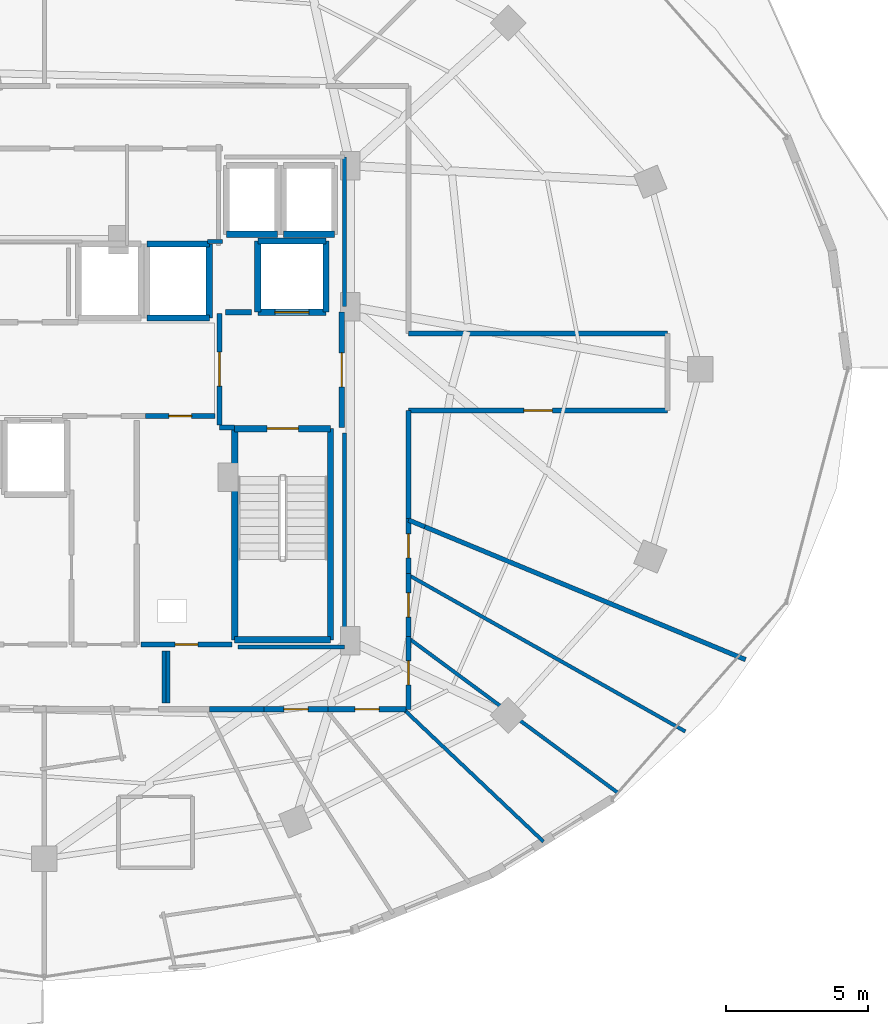
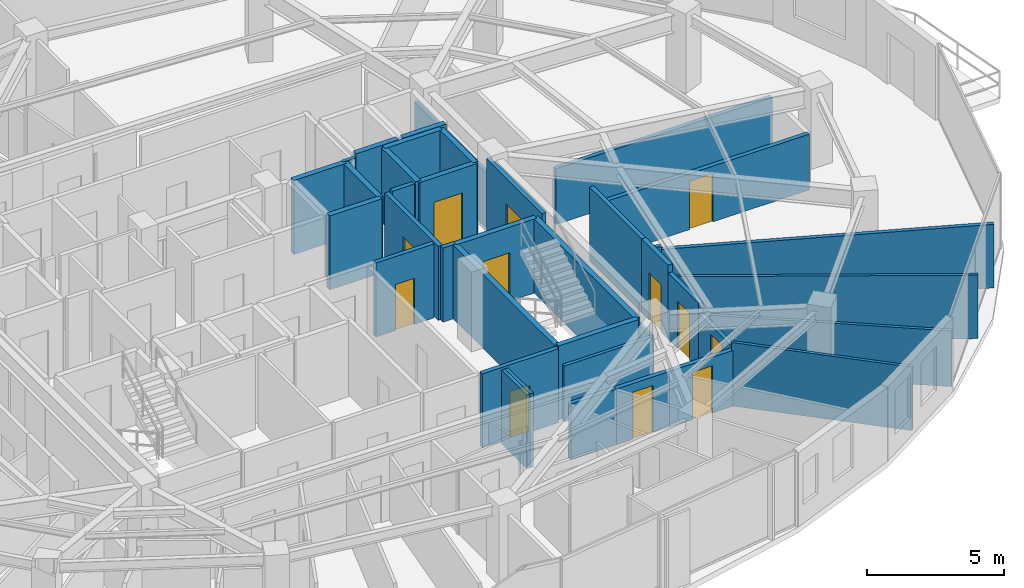
# One storey, part 28 of 33: 39 walls, 12 doors, 12 openings.
"""IFC4 building model written with IfcOpenShell, lengths in metres."""

import ifcopenshell
import ifcopenshell.guid

model = None  # the IFC model being written
_history = None  # IfcOwnerHistory: only IFC2X3 demands one
_inside = {}  # id of a spatial element -> (the spatial element, [elements in it])
_under = {}  # id of a project, library or spatial element -> (it, [spatial elements below it])
_declared = {}  # id of a project -> (the project, [libraries it declares])
_typed = {}  # id of a type object -> (the type object, [elements of that type])
_made_of = {}  # id of a material, layer set ... -> (it, [elements and type objects made of it])


def new_model(schema):
    """Start an empty IFC model of exactly this schema.

    Asked for "IFC4X3", IfcOpenShell would pick the latest addendum, in which some entities
    have other attributes; the version numbers below select the first issue.
    IFC2X3 requires an IfcOwnerHistory on every rooted entity: one is made here for all.
    """
    global model, _history
    if schema == "IFC4X3":
        model = ifcopenshell.file(schema_version=(4, 3, 0, 0))
    else:
        model = ifcopenshell.file(schema=schema)
    _inside.clear()
    _under.clear()
    _declared.clear()
    _typed.clear()
    _made_of.clear()
    _history = None
    if model.schema == "IFC2X3":
        org = make("IfcOrganization", Name="unknown")
        user = make(
            "IfcPersonAndOrganization",
            ThePerson=make("IfcPerson", FamilyName="unknown"),
            TheOrganization=org,
        )
        app = make(
            "IfcApplication",
            ApplicationDeveloper=org,
            Version="unknown",
            ApplicationFullName="unknown",
            ApplicationIdentifier="unknown",
        )
        _history = make(
            "IfcOwnerHistory",
            OwningUser=user,
            OwningApplication=app,
            ChangeAction="ADDED",
            CreationDate=0,
        )
    return model


def make(cls, **values):
    """One entity of the class cls with the attributes given. An attribute that is None is left unset."""
    return model.create_entity(
        cls, **{name: value for name, value in values.items() if value is not None}
    )


def rooted(cls, **values):
    """An entity with a GlobalId (a new one), such as an element, a storey or a relation."""
    return make(cls, GlobalId=ifcopenshell.guid.new(), OwnerHistory=_history, **values)


def si_unit(unit_type, name, prefix=None):
    """IfcSIUnit, for example si_unit("LENGTHUNIT", "METRE", prefix="MILLI")."""
    return make("IfcSIUnit", UnitType=unit_type, Prefix=prefix, Name=name)


def assignment(units):
    """IfcUnitAssignment: the units of a project."""
    return None if units is None else make("IfcUnitAssignment", Units=units)


def point(xyz):
    """IfcCartesianPoint."""
    return None if xyz is None else make("IfcCartesianPoint", Coordinates=xyz)


def direction(xyz):
    """IfcDirection."""
    return None if xyz is None else make("IfcDirection", DirectionRatios=xyz)


def frame(location, z_axis=None, x_axis=None):
    """IfcAxis2Placement3D, a coordinate frame: its origin and axes. An axis left out is left unset."""
    return make(
        "IfcAxis2Placement3D",
        Location=point(location),
        Axis=direction(z_axis),
        RefDirection=direction(x_axis),
    )


def frame_2d(location, x_axis=None):
    """IfcAxis2Placement2D, a coordinate frame in the plane: its origin and x axis."""
    return make(
        "IfcAxis2Placement2D", Location=point(location), RefDirection=direction(x_axis)
    )


def origin():
    """The frame at (0, 0, 0) with its axes left unset."""
    return frame((0.0, 0.0, 0.0))


def place(relative_to, where):
    """IfcLocalPlacement: puts the frame where relative to a parent placement (None: the world)."""
    return make(
        "IfcLocalPlacement", PlacementRelTo=relative_to, RelativePlacement=where
    )


def context(
    kind, dimensions, precision=None, world=None, true_north=None, identifier=None
):
    """IfcGeometricRepresentationContext, for example the 3D "Model" context."""
    return make(
        "IfcGeometricRepresentationContext",
        ContextIdentifier=identifier,
        ContextType=kind,
        CoordinateSpaceDimension=dimensions,
        Precision=precision,
        WorldCoordinateSystem=world,
        TrueNorth=true_north,
    )


def subcontext(parent, identifier, kind, view, scale=None):
    """IfcGeometricRepresentationSubContext, for example "Body" below "Model"."""
    return make(
        "IfcGeometricRepresentationSubContext",
        ContextIdentifier=identifier,
        ContextType=kind,
        ParentContext=parent,
        TargetScale=scale,
        TargetView=view,
    )


def project(units=None, contexts=None):
    """IfcProject with its units and contexts."""
    return rooted(
        "IfcProject",
        Name="project",
        RepresentationContexts=contexts,
        UnitsInContext=assignment(units),
    )


def spatial(cls, under=None, at=None, **own):
    """A site, building, storey or space (cls), placed at a placement, below another one or the project."""
    s = rooted(cls, ObjectPlacement=at, **own)
    if under is not None:
        _under.setdefault(under.id(), (under, []))[1].append(s)
    return s


def profile(cls, at=None, kind="AREA", **sizes):
    """A parametric profile (cls). Its sizes go by their IFC names, for example OverallWidth=200.0."""
    return make(cls, ProfileType=kind, Position=at, **sizes)


def rectangle(**sizes):
    """IfcRectangleProfileDef."""
    return profile("IfcRectangleProfileDef", **sizes)


def extrude(swept, where, along, depth):
    """IfcExtrudedAreaSolid: the profile swept, set in the frame where, extruded along a direction by depth."""
    return make(
        "IfcExtrudedAreaSolid",
        SweptArea=swept,
        Position=where,
        ExtrudedDirection=direction(along),
        Depth=depth,
    )


def shape(context_of_items, identifier, shape_type, items):
    """IfcShapeRepresentation: the items that make up one representation, for example the "Body"."""
    return make(
        "IfcShapeRepresentation",
        ContextOfItems=context_of_items,
        RepresentationIdentifier=identifier,
        RepresentationType=shape_type,
        Items=items,
    )


def material(Name=None, Category=None):
    """IfcMaterial."""
    return make("IfcMaterial", Name=Name, Category=Category)


def layer(
    of_material, thickness, ventilated=None, Name=None, Category=None, Priority=None
):
    """IfcMaterialLayer: one layer of a wall or slab, of a material (None: an air gap)."""
    return make(
        "IfcMaterialLayer",
        Material=of_material,
        LayerThickness=thickness,
        IsVentilated=ventilated,
        Name=Name,
        Category=Category,
        Priority=Priority,
    )


def layer_set(layers, Name=None):
    """IfcMaterialLayerSet."""
    return make("IfcMaterialLayerSet", MaterialLayers=layers, LayerSetName=Name)


def made_of(thing, what):
    """Note that an element or type object is made of a material, layer set ...; save() writes the relation."""
    if what is not None:
        _made_of.setdefault(what.id(), (what, []))[1].append(thing)
    return thing


def type_object(cls, material=None, **own):
    """A type object (cls), such as IfcWallType, which elements share."""
    return made_of(rooted(cls, **own), material)


def element(
    cls,
    number,
    at=None,
    inside=None,
    cuts=None,
    type_object=None,
    material=None,
    context=None,
    identifier="Body",
    shape_type=None,
    held_by="IfcProductDefinitionShape",
    body=None,
    shapes=None,
    **own,
):
    """One element of the class cls, such as IfcWall. Its Tag is "e" and its number.

    at: its placement. inside: the storey or other place that contains it. cuts: it is an
    opening in that element (IfcRelVoidsElement). A single representation is given by context,
    identifier, shape_type and body (its items); several are given by shapes. held_by: the class
    of the entity that holds the representations. save() writes the other relations.
    """
    e = rooted(cls, Tag="e%d" % number, ObjectPlacement=at, **own)
    if body is not None:
        shapes = [shape(context, identifier, shape_type, body)]
    if shapes is not None:
        e.Representation = make(held_by, Representations=shapes)
    if inside is not None:
        _inside.setdefault(inside.id(), (inside, []))[1].append(e)
    if cuts is not None:
        rooted(
            "IfcRelVoidsElement", RelatingBuildingElement=cuts, RelatedOpeningElement=e
        )
    if type_object is not None:
        _typed.setdefault(type_object.id(), (type_object, []))[1].append(e)
    return made_of(e, material)


def fill(opening, filler):
    """IfcRelFillsElement: the door or window that sits in an opening."""
    return rooted(
        "IfcRelFillsElement",
        RelatingOpeningElement=opening,
        RelatedBuildingElement=filler,
    )


def aggregate(whole, parts):
    """IfcRelAggregates: a whole, such as a stair, and the parts it consists of."""
    return rooted("IfcRelAggregates", RelatingObject=whole, RelatedObjects=parts)


def save(model, path):
    """Write the relations noted so far, then the file.

    IfcRelAggregates (storeys below a building ...), IfcRelContainedInSpatialStructure (elements
    in a storey), IfcRelDefinesByType, IfcRelAssociatesMaterial and IfcRelDeclares: one each for
    every whole, place, type object, material and project.
    """
    for whole, parts in _under.values():
        aggregate(whole, parts)
    for where, things in _inside.values():
        rooted(
            "IfcRelContainedInSpatialStructure",
            RelatedElements=things,
            RelatingStructure=where,
        )
    for kind, things in _typed.values():
        rooted("IfcRelDefinesByType", RelatedObjects=things, RelatingType=kind)
    for what, things in _made_of.values():
        rooted("IfcRelAssociatesMaterial", RelatedObjects=things, RelatingMaterial=what)
    for by, libraries in _declared.values():
        rooted("IfcRelDeclares", RelatingContext=by, RelatedDefinitions=libraries)
    model.write(path)


model = new_model("IFC4")

# Units and contexts
model_context = context("Model", 3, precision=1e-05, world=origin(), true_north=direction((0.0, 1.0)))
body_context = subcontext(model_context, "Body", "Model", "MODEL_VIEW")
ifc_project = project(units=[si_unit("LENGTHUNIT", "METRE"), si_unit("AREAUNIT", "SQUARE_METRE"), si_unit("VOLUMEUNIT", "CUBIC_METRE"), si_unit("PLANEANGLEUNIT", "RADIAN"), si_unit("MASSUNIT", "GRAM", prefix="KILO")], contexts=[model_context])

# Site, building, storey
site_placement = place(None, origin())
site = spatial("IfcSite", under=ifc_project, at=site_placement, CompositionType="ELEMENT")
building_placement = place(site_placement, origin())
building = spatial("IfcBuilding", under=site, at=building_placement, Name="Vorneva Point Tower", CompositionType="ELEMENT")
storey_placement = place(building_placement, frame((0.0, 0.0, 203.64990234375)))
storey = spatial("IfcBuildingStorey", under=building, at=storey_placement, Name="L55", CompositionType="ELEMENT", Elevation=203.64990234375)

# Wall, opening, door
ifc_material_1 = material(Name="Concrete B60 (C50/60)", Category="concrete")
ifc_layer_1 = layer(ifc_material_1, 0.35009765625)
ifc_layer_set_1 = layer_set([ifc_layer_1], Name="Concrete B60 (C50/60)")
wall_type_1 = type_object("IfcWallType", Name="WL-CORE-350", PredefinedType="SHEAR", material=ifc_layer_set_1)
wall_1_placement = place(storey_placement, frame((45.5, 28.0, 0.0), z_axis=(0.0, 0.0, 1.0), x_axis=(1.0, 0.0, 0.0)))
wall_1 = element("IfcWall", 1, at=wall_1_placement, inside=storey, type_object=wall_type_1, Name="L55 Lift FFL2 Shaft Wall -Y", PredefinedType="SHEAR", context=body_context, shape_type="SweptSolid", body=[
    extrude(rectangle(XDim=2.39990234375, YDim=0.219970703125, at=frame_2d((1.199951171875, 0.0))), origin(), (0.0, 0.0, 1.0), 3.2900390625),
])
opening_1_placement = place(wall_1_placement, frame((0.60009765625, 0.0, 0.0)))
opening_1 = element("IfcOpeningElement", 2, at=opening_1_placement, cuts=wall_1, Name="Opening LD-02", PredefinedType="OPENING", context=body_context, shape_type="SweptSolid", body=[
    extrude(rectangle(XDim=1.199951171875, YDim=2.199951171875, at=frame_2d((0.60009765625, 1.10009765625))), frame((0.0, 0.125, 0.0), z_axis=(0.0, -1.0, 0.0), x_axis=(1.0, 0.0, 0.0)), (0.0, 0.0, 1.0), 0.249755859375),
])
ifc_material_2 = material(Name="Brushed stainless steel S304", Category="steel")
door_type_1 = type_object("IfcDoorType", Name="LD-FIRE-1200", OperationType="SLIDING_TO_LEFT", PredefinedType="DOOR", material=ifc_material_2)
door_1_placement = place(opening_1_placement, origin())
door_1 = element("IfcDoor", 3, at=door_1_placement, inside=storey, type_object=door_type_1, Name="L55 Lift FFL2 Sliding Landing Door", OperationType="SLIDING_TO_LEFT", OverallHeight=2.199951171875, OverallWidth=1.199951171875, PredefinedType="DOOR", context=body_context, shape_type="SweptSolid", body=[
    extrude(rectangle(XDim=1.199951171875, YDim=2.199951171875, at=frame_2d((0.60009765625, 1.10009765625))), frame((0.0, 0.02490234375, 0.0), z_axis=(0.0, -1.0, 0.0), x_axis=(1.0, 0.0, 0.0)), (0.0, 0.0, 1.0), 0.050048828125),
])
fill(opening_1, door_1)

# Walls
wall_2_placement = place(storey_placement, frame((47.89990234375, 28.0, 0.0), z_axis=(0.0, 0.0, 1.0), x_axis=(0.0, 1.0, 0.0)))
element("IfcWall", 4, at=wall_2_placement, inside=storey, type_object=wall_type_1, Name="L55 Lift FFL2 Shaft Wall +X", PredefinedType="SHEAR", context=body_context, shape_type="SweptSolid", body=[
    extrude(rectangle(XDim=2.5, YDim=0.219970703125, at=frame_2d((1.25, 0.0))), origin(), (0.0, 0.0, 1.0), 3.2900390625),
])
wall_3_placement = place(storey_placement, frame((47.89990234375, 30.5, 0.0), z_axis=(0.0, 0.0, 1.0), x_axis=(-1.0, 0.0, 0.0)))
element("IfcWall", 5, at=wall_3_placement, inside=storey, type_object=wall_type_1, Name="L55 Lift FFL2 Shaft Wall +Y", PredefinedType="SHEAR", context=body_context, shape_type="SweptSolid", body=[
    extrude(rectangle(XDim=2.39990234375, YDim=0.219970703125, at=frame_2d((1.199951171875, 0.0))), origin(), (0.0, 0.0, 1.0), 3.2900390625),
])
wall_4_placement = place(storey_placement, frame((45.5, 30.5, 0.0), z_axis=(0.0, 0.0, 1.0), x_axis=(0.0, -1.0, 0.0)))
element("IfcWall", 6, at=wall_4_placement, inside=storey, type_object=wall_type_1, Name="L55 Lift FFL2 Shaft Wall -X", PredefinedType="SHEAR", context=body_context, shape_type="SweptSolid", body=[
    extrude(rectangle(XDim=2.5, YDim=0.219970703125, at=frame_2d((1.25, 0.0))), origin(), (0.0, 0.0, 1.0), 3.2900390625),
])
ifc_material_3 = material(Name="Fire-rated acoustic gypsum stud partition", Category="gypsum")
ifc_layer_2 = layer(ifc_material_3, 0.125)
ifc_layer_set_2 = layer_set([ifc_layer_2], Name="Fire-rated acoustic gypsum stud partition")
wall_type_2 = type_object("IfcWallType", Name="WL-PART-125", PredefinedType="PARTITIONING", material=ifc_layer_set_2)
wall_5_placement = place(storey_placement, frame((55.5380859375, 9.40087890625, 0.0), z_axis=(0.0, 0.0, 1.0), x_axis=(-0.726277952769, 0.687401145854, 0.0)))
element("IfcWall", 7, at=wall_5_placement, inside=storey, type_object=wall_type_2, Name="L55 Interior Partition 147", PredefinedType="PARTITIONING", context=body_context, shape_type="SweptSolid", body=[
    extrude(rectangle(XDim=6.763427734375, YDim=0.125, at=frame_2d((3.3818359375, 0.0))), origin(), (0.0, 0.0, 1.0), 2.82421875),
])
wall_6_placement = place(storey_placement, frame((58.174072265625, 11.09912109375, 0.0), z_axis=(0.0, 0.0, 1.0), x_axis=(-0.804363169868, 0.594137939338, 0.0)))
element("IfcWall", 8, at=wall_6_placement, inside=storey, type_object=wall_type_2, Name="L55 Interior Partition 148", PredefinedType="PARTITIONING", context=body_context, shape_type="SweptSolid", body=[
    extrude(rectangle(XDim=9.16748046875, YDim=0.125, at=frame_2d((4.583740234375, 0.0))), origin(), (0.0, 0.0, 1.0), 2.482177734375),
])
wall_7_placement = place(storey_placement, frame((60.52392578125, 13.26904296875, 0.0), z_axis=(0.0, 0.0, 1.0), x_axis=(-0.870572608778, 0.49203997078, 0.0)))
element("IfcWall", 9, at=wall_7_placement, inside=storey, type_object=wall_type_2, Name="L55 Interior Partition 149", PredefinedType="PARTITIONING", context=body_context, shape_type="SweptSolid", body=[
    extrude(rectangle(XDim=11.16943359375, YDim=0.125, at=frame_2d((5.584716796875, 0.0))), origin(), (0.0, 0.0, 1.0), 2.82421875),
])
ifc_layer_3 = layer(ifc_material_3, 0.139892578125)
ifc_layer_set_3 = layer_set([ifc_layer_3], Name="Fire-rated acoustic gypsum stud partition")
wall_type_3 = type_object("IfcWallType", Name="WL-PART-140", PredefinedType="PARTITIONING", material=ifc_layer_set_3)
wall_8_placement = place(storey_placement, frame((43.735107421875, 30.47998046875, 0.0), z_axis=(0.0, 0.0, 1.0), x_axis=(1.0, 0.0, 0.0)))
element("IfcWall", 10, at=wall_8_placement, inside=storey, type_object=wall_type_3, Name="L55 Interior Closure Partition 156", PredefinedType="PARTITIONING", context=body_context, shape_type="SweptSolid", body=[
    extrude(rectangle(XDim=0.52490234375, YDim=0.139892578125, at=frame_2d((0.262451171875, 0.0))), origin(), (0.0, 0.0, 1.0), 3.2900390625),
])
wall_9_placement = place(storey_placement, frame((48.550048828125, 16.239990234375, 0.0), z_axis=(0.0, 0.0, 1.0), x_axis=(0.0, 1.0, 0.0)))
element("IfcWall", 11, at=wall_9_placement, inside=storey, type_object=wall_type_3, Name="L55 Interior Closure Partition 165", PredefinedType="PARTITIONING", context=body_context, shape_type="SweptSolid", body=[
    extrude(rectangle(XDim=7.513916015625, YDim=0.139892578125, at=frame_2d((3.7568359375, 0.0))), origin(), (0.0, 0.0, 1.0), 2.482177734375),
])
wall_10_placement = place(storey_placement, frame((48.550048828125, 28.196044921875, 0.0), z_axis=(0.0, 0.0, 1.0), x_axis=(0.0, 1.0, 0.0)))
element("IfcWall", 12, at=wall_10_placement, inside=storey, type_object=wall_type_3, Name="L55 Interior Closure Partition 166", PredefinedType="PARTITIONING", context=body_context, shape_type="SweptSolid", body=[
    extrude(rectangle(XDim=5.25390625, YDim=0.139892578125, at=frame_2d((2.626953125, 0.0))), origin(), (0.0, 0.0, 1.0), 2.482177734375),
])
for number, where, z_axis, x_axis, name in (
    (13, (42.199951171875, 16.10009765625, 0.0), (0.0, 0.0, 1.0), (0.0, -1.0, 0.0), "L55 Interior Closure Partition 173"),
    (14, (42.340087890625, 14.27001953125, 0.0), (0.0, 0.0, 1.0), (0.0, 1.0, 0.0), "L55 Interior Closure Partition 174"),
):
    element("IfcWall", number, at=place(storey_placement, frame(where, z_axis=z_axis, x_axis=x_axis)), inside=storey, type_object=wall_type_3, Name=name, PredefinedType="PARTITIONING", context=body_context, shape_type="SweptSolid", body=[
        extrude(rectangle(XDim=1.830078125, YDim=0.139892578125, at=frame_2d((0.9150390625, 0.0))), origin(), (0.0, 0.0, 1.0), 3.2900390625),
    ])
wall_11_placement = place(storey_placement, frame((44.804931640625, 16.239990234375, 0.0), z_axis=(0.0, 0.0, 1.0), x_axis=(1.0, 0.0, 0.0)))
element("IfcWall", 15, at=wall_11_placement, inside=storey, type_object=wall_type_3, Name="L55 Interior Closure Partition 175", PredefinedType="PARTITIONING", context=body_context, shape_type="SweptSolid", body=[
    extrude(rectangle(XDim=3.7451171875, YDim=0.139892578125, at=frame_2d((1.87255859375, 0.0))), origin(), (0.0, 0.0, 1.0), 2.482177734375),
])
ifc_layer_4 = layer(ifc_material_3, 0.159912109375)
ifc_layer_set_4 = layer_set([ifc_layer_4], Name="Fire-rated acoustic gypsum stud partition")
wall_type_4 = type_object("IfcWallType", Name="WL-PART-160", PredefinedType="PARTITIONING", material=ifc_layer_set_4)
wall_12_placement = place(storey_placement, frame((51.368896484375, 20.4619140625, 0.0), z_axis=(0.0, 0.0, 1.0), x_axis=(-0.923615496363, 0.383320251066, 0.0)))
element("IfcWall", 16, at=wall_12_placement, inside=storey, type_object=wall_type_4, Name="L55 Interior Partition 150", PredefinedType="PARTITIONING", context=body_context, shape_type="SweptSolid", body=[
    extrude(rectangle(XDim=0.615966796875, YDim=0.159912109375, at=frame_2d((0.30810546875, 0.0))), origin(), (0.0, 0.0, 1.0), 2.93603515625),
])
wall_13_placement = place(storey_placement, frame((62.639892578125, 15.7939453125, 0.0), z_axis=(0.0, 0.0, 1.0), x_axis=(-0.923897809723, 0.382639304291, 0.0)))
element("IfcWall", 17, at=wall_13_placement, inside=storey, type_object=wall_type_4, Name="L55 Interior Partition 151", PredefinedType="PARTITIONING", context=body_context, shape_type="SweptSolid", body=[
    extrude(rectangle(XDim=12.199462890625, YDim=0.159912109375, at=frame_2d((6.099609375, 0.0))), origin(), (0.0, 0.0, 1.0), 2.82421875),
])

# Wall, opening, door
ifc_material_4 = material(Name="Autoclaved aerated concrete blockwork", Category="masonry")
ifc_layer_5 = layer(ifc_material_4, 0.179931640625)
ifc_layer_set_5 = layer_set([ifc_layer_5], Name="Autoclaved aerated concrete blockwork")
wall_type_5 = type_object("IfcWallType", Name="WL-PART-180", PredefinedType="PARTITIONING", material=ifc_layer_set_5)
wall_14_placement = place(storey_placement, frame((44.14990234375, 27.955078125, 0.0), z_axis=(0.0, 0.0, 1.0), x_axis=(0.0, -1.0, 0.0)))
wall_14 = element("IfcWall", 18, at=wall_14_placement, inside=storey, type_object=wall_type_5, Name="L55 Interior Partition 003", PredefinedType="PARTITIONING", context=body_context, shape_type="SweptSolid", body=[
    extrude(rectangle(XDim=3.91015625, YDim=0.179931640625, at=frame_2d((1.955078125, 0.0))), origin(), (0.0, 0.0, 1.0), 3.2900390625),
])
opening_2_placement = place(wall_14_placement, frame((1.35498046875, 0.0, 0.0)))
opening_2 = element("IfcOpeningElement", 19, at=opening_2_placement, cuts=wall_14, Name="Opening FD-02", PredefinedType="OPENING", context=body_context, shape_type="SweptSolid", body=[
    extrude(rectangle(XDim=1.199951171875, YDim=2.14990234375, at=frame_2d((0.60009765625, 1.074951171875))), frame((0.0, 0.10498046875, 0.0), z_axis=(0.0, -1.0, 0.0), x_axis=(1.0, 0.0, 0.0)), (0.0, 0.0, 1.0), 0.209716796875),
])
ifc_material_5 = material(Name="Fire-rated powder-coated steel", Category="steel")
door_type_2 = type_object("IfcDoorType", Name="DR-FFL-1200", OperationType="NOTDEFINED", PredefinedType="DOOR", material=ifc_material_5)
door_2_placement = place(opening_2_placement, origin())
door_2 = element("IfcDoor", 20, at=door_2_placement, inside=storey, type_object=door_type_2, Name="L55 Door East Firefighting Lobby / Central Lift Lobby", OperationType="SINGLE_SWING_LEFT", OverallHeight=2.14990234375, OverallWidth=1.199951171875, PredefinedType="DOOR", context=body_context, shape_type="SweptSolid", body=[
    extrude(rectangle(XDim=1.199951171875, YDim=2.14990234375, at=frame_2d((0.60009765625, 1.074951171875))), frame((0.0, 0.02490234375, 0.0), z_axis=(0.0, -1.0, 0.0), x_axis=(1.0, 0.0, 0.0)), (0.0, 0.0, 1.0), 0.050048828125),
])
fill(opening_2, door_2)

# Wall
wall_15_placement = place(storey_placement, frame((44.14990234375, 23.949951171875, 0.0), z_axis=(0.0, 0.0, 1.0), x_axis=(1.0, 0.0, 0.0)))
element("IfcWall", 21, at=wall_15_placement, inside=storey, type_object=wall_type_5, Name="L55 Interior Partition 004", PredefinedType="PARTITIONING", context=body_context, shape_type="SweptSolid", body=[
    extrude(rectangle(XDim=0.5400390625, YDim=0.179931640625, at=frame_2d((0.27001953125, 0.0))), origin(), (0.0, 0.0, 1.0), 3.2900390625),
])

# Wall, opening, door
wall_16_placement = place(storey_placement, frame((48.449951171875, 23.949951171875, 0.0), z_axis=(0.0, 0.0, 1.0), x_axis=(0.0, 1.0, 0.0)))
wall_16 = element("IfcWall", 22, at=wall_16_placement, inside=storey, type_object=wall_type_5, Name="L55 Interior Partition 005", PredefinedType="PARTITIONING", context=body_context, shape_type="SweptSolid", body=[
    extrude(rectangle(XDim=4.050048828125, YDim=0.179931640625, at=frame_2d((2.02490234375, 0.0))), origin(), (0.0, 0.0, 1.0), 3.2900390625),
])
opening_3_placement = place(wall_16_placement, frame((1.425048828125, 0.0, 0.0)))
opening_3 = element("IfcOpeningElement", 23, at=opening_3_placement, cuts=wall_16, Name="Opening FD-02", PredefinedType="OPENING", context=body_context, shape_type="SweptSolid", body=[
    extrude(rectangle(XDim=1.199951171875, YDim=2.14990234375, at=frame_2d((0.60009765625, 1.074951171875))), frame((0.0, 0.10498046875, 0.0), z_axis=(0.0, -1.0, 0.0), x_axis=(1.0, 0.0, 0.0)), (0.0, 0.0, 1.0), 0.209716796875),
])
door_3_placement = place(opening_3_placement, origin())
door_3 = element("IfcDoor", 24, at=door_3_placement, inside=storey, type_object=door_type_2, Name="L55 Door East Firefighting Lobby / L55 Circulation Corridor", OperationType="SINGLE_SWING_LEFT", OverallHeight=2.14990234375, OverallWidth=1.199951171875, PredefinedType="DOOR", context=body_context, shape_type="SweptSolid", body=[
    extrude(rectangle(XDim=1.199951171875, YDim=2.14990234375, at=frame_2d((0.60009765625, 1.074951171875))), frame((0.0, 0.02490234375, 0.0), z_axis=(0.0, -1.0, 0.0), x_axis=(1.0, 0.0, 0.0)), (0.0, 0.0, 1.0), 0.050048828125),
])
fill(opening_3, door_3)

wall_17_placement = place(storey_placement, frame((41.554931640625, 24.35009765625, 0.0), z_axis=(0.0, 0.0, 1.0), x_axis=(1.0, 0.0, 0.0)))
wall_17 = element("IfcWall", 25, at=wall_17_placement, inside=storey, type_object=wall_type_5, Name="L55 Interior Partition 011", PredefinedType="PARTITIONING", context=body_context, shape_type="SweptSolid", body=[
    extrude(rectangle(XDim=2.445068359375, YDim=0.179931640625, at=frame_2d((1.22265625, 0.0))), origin(), (0.0, 0.0, 1.0), 3.2900390625),
])
opening_4_placement = place(wall_17_placement, frame((0.822509765625, 0.0, 0.0)))
opening_4 = element("IfcOpeningElement", 26, at=opening_4_placement, cuts=wall_17, Name="Opening RD-01", PredefinedType="OPENING", context=body_context, shape_type="SweptSolid", body=[
    extrude(rectangle(XDim=0.800048828125, YDim=2.050048828125, at=frame_2d((0.39990234375, 1.02490234375))), frame((0.0, 0.10498046875, 0.0), z_axis=(0.0, -1.0, 0.0), x_axis=(1.0, 0.0, 0.0)), (0.0, 0.0, 1.0), 0.209716796875),
])
door_type_3 = type_object("IfcDoorType", Name="DR-RSR-800", OperationType="SINGLE_SWING_LEFT", PredefinedType="DOOR", material=ifc_material_5)
door_4_placement = place(opening_4_placement, origin())
door_4 = element("IfcDoor", 27, at=door_4_placement, inside=storey, type_object=door_type_3, Name="L55 Door Central Lift Lobby / Electrical Riser", OperationType="SINGLE_SWING_LEFT", OverallHeight=2.050048828125, OverallWidth=0.800048828125, PredefinedType="DOOR", context=body_context, shape_type="SweptSolid", body=[
    extrude(rectangle(XDim=0.800048828125, YDim=2.050048828125, at=frame_2d((0.39990234375, 1.02490234375))), frame((0.0, 0.02490234375, 0.0), z_axis=(0.0, -1.0, 0.0), x_axis=(1.0, 0.0, 0.0)), (0.0, 0.0, 1.0), 0.050048828125),
])
fill(opening_4, door_4)

wall_18_placement = place(storey_placement, frame((41.39990234375, 16.320068359375, 0.0), z_axis=(0.0, 0.0, 1.0), x_axis=(1.0, 0.0, 0.0)))
wall_18 = element("IfcWall", 28, at=wall_18_placement, inside=storey, type_object=wall_type_5, Name="L55 Interior Partition 017", PredefinedType="PARTITIONING", context=body_context, shape_type="SweptSolid", body=[
    extrude(rectangle(XDim=3.2001953125, YDim=0.179931640625, at=frame_2d((1.60009765625, 0.0))), origin(), (0.0, 0.0, 1.0), 3.2900390625),
])
opening_5_placement = place(wall_18_placement, frame((1.199951171875, 0.0, 0.0)))
opening_5 = element("IfcOpeningElement", 29, at=opening_5_placement, cuts=wall_18, Name="Opening RD-01", PredefinedType="OPENING", context=body_context, shape_type="SweptSolid", body=[
    extrude(rectangle(XDim=0.800048828125, YDim=2.050048828125, at=frame_2d((0.39990234375, 1.02490234375))), frame((0.0, 0.10498046875, 0.0), z_axis=(0.0, -1.0, 0.0), x_axis=(1.0, 0.0, 0.0)), (0.0, 0.0, 1.0), 0.209716796875),
])
door_5_placement = place(opening_5_placement, origin())
door_5 = element("IfcDoor", 30, at=door_5_placement, inside=storey, type_object=door_type_3, Name="L55 Door Electrical Riser / L55 Circulation Corridor", OperationType="SINGLE_SWING_LEFT", OverallHeight=2.050048828125, OverallWidth=0.800048828125, PredefinedType="DOOR", context=body_context, shape_type="SweptSolid", body=[
    extrude(rectangle(XDim=0.800048828125, YDim=2.050048828125, at=frame_2d((0.39990234375, 1.02490234375))), frame((0.0, 0.02490234375, 0.0), z_axis=(0.0, -1.0, 0.0), x_axis=(1.0, 0.0, 0.0)), (0.0, 0.0, 1.0), 0.050048828125),
])
fill(opening_5, door_5)

# Wall
wall_19_placement = place(storey_placement, frame((43.804931640625, 14.050048828125, 0.0), z_axis=(0.0, 0.0, 1.0), x_axis=(1.0, 0.0, 0.0)))
element("IfcWall", 31, at=wall_19_placement, inside=storey, type_object=wall_type_5, Name="L55 Interior Partition 062", PredefinedType="PARTITIONING", context=body_context, shape_type="SweptSolid", body=[
    extrude(rectangle(XDim=1.916015625, YDim=0.179931640625, at=frame_2d((0.9580078125, 0.0))), origin(), (0.0, 0.0, 1.0), 2.482177734375),
])

# Wall, opening, door
wall_20_placement = place(storey_placement, frame((45.720947265625, 14.050048828125, 0.0), z_axis=(0.0, 0.0, 1.0), x_axis=(1.0, 0.0, 0.0)))
wall_20 = element("IfcWall", 32, at=wall_20_placement, inside=storey, type_object=wall_type_5, Name="L55 Interior Partition 063", PredefinedType="PARTITIONING", context=body_context, shape_type="SweptSolid", body=[
    extrude(rectangle(XDim=2.2431640625, YDim=0.179931640625, at=frame_2d((1.12158203125, 0.0))), origin(), (0.0, 0.0, 1.0), 2.482177734375),
])
opening_6_placement = place(wall_20_placement, frame((0.696533203125, 0.0, 0.0)))
opening_6 = element("IfcOpeningElement", 33, at=opening_6_placement, cuts=wall_20, Name="Opening ID-02", PredefinedType="OPENING", context=body_context, shape_type="SweptSolid", body=[
    extrude(rectangle(XDim=0.85009765625, YDim=2.10009765625, at=frame_2d((0.425048828125, 1.050048828125))), frame((0.0, 0.10498046875, 0.0), z_axis=(0.0, -1.0, 0.0), x_axis=(1.0, 0.0, 0.0)), (0.0, 0.0, 1.0), 0.209716796875),
])
ifc_material_6 = material(Name="Engineered oak fire-rated door leaf", Category="wood")
door_type_4 = type_object("IfcDoorType", Name="DR-BATH-850", OperationType="NOTDEFINED", PredefinedType="DOOR", material=ifc_material_6)
door_6_placement = place(opening_6_placement, origin())
door_6 = element("IfcDoor", 34, at=door_6_placement, inside=storey, type_object=door_type_4, Name="L55 Access Door L55 Circulation Corridor", OperationType="SINGLE_SWING_LEFT", OverallHeight=2.10009765625, OverallWidth=0.85009765625, PredefinedType="DOOR", context=body_context, shape_type="SweptSolid", body=[
    extrude(rectangle(XDim=0.85009765625, YDim=2.10009765625, at=frame_2d((0.425048828125, 1.050048828125))), frame((0.0, 0.02490234375, 0.0), z_axis=(0.0, -1.0, 0.0), x_axis=(1.0, 0.0, 0.0)), (0.0, 0.0, 1.0), 0.050048828125),
])
fill(opening_6, door_6)

wall_21_placement = place(storey_placement, frame((47.964111328125, 14.050048828125, 0.0), z_axis=(0.0, 0.0, 1.0), x_axis=(1.0, 0.0, 0.0)))
wall_21 = element("IfcWall", 35, at=wall_21_placement, inside=storey, type_object=wall_type_5, Name="L55 Interior Partition 064", PredefinedType="PARTITIONING", context=body_context, shape_type="SweptSolid", body=[
    extrude(rectangle(XDim=2.748779296875, YDim=0.179931640625, at=frame_2d((1.37451171875, 0.0))), origin(), (0.0, 0.0, 1.0), 2.482177734375),
])
opening_7_placement = place(wall_21_placement, frame((0.949462890625, 0.0, 0.0)))
opening_7 = element("IfcOpeningElement", 36, at=opening_7_placement, cuts=wall_21, Name="Opening ID-02", PredefinedType="OPENING", context=body_context, shape_type="SweptSolid", body=[
    extrude(rectangle(XDim=0.85009765625, YDim=2.10009765625, at=frame_2d((0.425048828125, 1.050048828125))), frame((0.0, 0.10498046875, 0.0), z_axis=(0.0, -1.0, 0.0), x_axis=(1.0, 0.0, 0.0)), (0.0, 0.0, 1.0), 0.209716796875),
])
door_7_placement = place(opening_7_placement, origin())
door_7 = element("IfcDoor", 37, at=door_7_placement, inside=storey, type_object=door_type_4, Name="L55 Access Door L55 Circulation Corridor", OperationType="SINGLE_SWING_RIGHT", OverallHeight=2.10009765625, OverallWidth=0.85009765625, PredefinedType="DOOR", context=body_context, shape_type="SweptSolid", body=[
    extrude(rectangle(XDim=0.85009765625, YDim=2.10009765625, at=frame_2d((0.425048828125, 1.050048828125))), frame((0.0, 0.02490234375, 0.0), z_axis=(0.0, -1.0, 0.0), x_axis=(1.0, 0.0, 0.0)), (0.0, 0.0, 1.0), 0.050048828125),
])
fill(opening_7, door_7)

wall_22_placement = place(storey_placement, frame((50.800048828125, 14.050048828125, 0.0), z_axis=(0.0, 0.0, 1.0), x_axis=(0.0, 1.0, 0.0)))
wall_22 = element("IfcWall", 38, at=wall_22_placement, inside=storey, type_object=wall_type_5, Name="L55 Interior Partition 065", PredefinedType="PARTITIONING", context=body_context, shape_type="SweptSolid", body=[
    extrude(rectangle(XDim=2.555908203125, YDim=0.179931640625, at=frame_2d((1.27783203125, 0.0))), origin(), (0.0, 0.0, 1.0), 2.482177734375),
])
opening_8_placement = place(wall_22_placement, frame((0.85302734375, 0.0, 0.0)))
opening_8 = element("IfcOpeningElement", 39, at=opening_8_placement, cuts=wall_22, Name="Opening ID-02", PredefinedType="OPENING", context=body_context, shape_type="SweptSolid", body=[
    extrude(rectangle(XDim=0.85009765625, YDim=2.10009765625, at=frame_2d((0.425048828125, 1.050048828125))), frame((0.0, 0.10498046875, 0.0), z_axis=(0.0, -1.0, 0.0), x_axis=(1.0, 0.0, 0.0)), (0.0, 0.0, 1.0), 0.209716796875),
])
door_8_placement = place(opening_8_placement, origin())
door_8 = element("IfcDoor", 40, at=door_8_placement, inside=storey, type_object=door_type_4, Name="L55 Access Door L55 Circulation Corridor", OperationType="SINGLE_SWING_LEFT", OverallHeight=2.10009765625, OverallWidth=0.85009765625, PredefinedType="DOOR", context=body_context, shape_type="SweptSolid", body=[
    extrude(rectangle(XDim=0.85009765625, YDim=2.10009765625, at=frame_2d((0.425048828125, 1.050048828125))), frame((0.0, 0.02490234375, 0.0), z_axis=(0.0, -1.0, 0.0), x_axis=(1.0, 0.0, 0.0)), (0.0, 0.0, 1.0), 0.050048828125),
])
fill(opening_8, door_8)

wall_23_placement = place(storey_placement, frame((50.800048828125, 16.60595703125, 0.0), z_axis=(0.0, 0.0, 1.0), x_axis=(0.0, 1.0, 0.0)))
wall_23 = element("IfcWall", 41, at=wall_23_placement, inside=storey, type_object=wall_type_5, Name="L55 Interior Partition 066", PredefinedType="PARTITIONING", context=body_context, shape_type="SweptSolid", body=[
    extrude(rectangle(XDim=2.218994140625, YDim=0.179931640625, at=frame_2d((1.109375, 0.0))), origin(), (0.0, 0.0, 1.0), 2.93603515625),
])
opening_9_placement = place(wall_23_placement, frame((0.6845703125, 0.0, 0.0)))
opening_9 = element("IfcOpeningElement", 42, at=opening_9_placement, cuts=wall_23, Name="Opening ID-02", PredefinedType="OPENING", context=body_context, shape_type="SweptSolid", body=[
    extrude(rectangle(XDim=0.85009765625, YDim=2.10009765625, at=frame_2d((0.425048828125, 1.050048828125))), frame((0.0, 0.10498046875, 0.0), z_axis=(0.0, -1.0, 0.0), x_axis=(1.0, 0.0, 0.0)), (0.0, 0.0, 1.0), 0.209716796875),
])
door_9_placement = place(opening_9_placement, origin())
door_9 = element("IfcDoor", 43, at=door_9_placement, inside=storey, type_object=door_type_4, Name="L55 Access Door L55 Circulation Corridor", OperationType="SINGLE_SWING_RIGHT", OverallHeight=2.10009765625, OverallWidth=0.85009765625, PredefinedType="DOOR", context=body_context, shape_type="SweptSolid", body=[
    extrude(rectangle(XDim=0.85009765625, YDim=2.10009765625, at=frame_2d((0.425048828125, 1.050048828125))), frame((0.0, 0.02490234375, 0.0), z_axis=(0.0, -1.0, 0.0), x_axis=(1.0, 0.0, 0.0)), (0.0, 0.0, 1.0), 0.050048828125),
])
fill(opening_9, door_9)

wall_24_placement = place(storey_placement, frame((50.800048828125, 18.824951171875, 0.0), z_axis=(0.0, 0.0, 1.0), x_axis=(0.0, 1.0, 0.0)))
wall_24 = element("IfcWall", 44, at=wall_24_placement, inside=storey, type_object=wall_type_5, Name="L55 Interior Partition 067", PredefinedType="PARTITIONING", context=body_context, shape_type="SweptSolid", body=[
    extrude(rectangle(XDim=1.93310546875, YDim=0.179931640625, at=frame_2d((0.966552734375, 0.0))), origin(), (0.0, 0.0, 1.0), 3.2900390625),
])
opening_10_placement = place(wall_24_placement, frame((0.54150390625, 0.0, 0.0)))
opening_10 = element("IfcOpeningElement", 45, at=opening_10_placement, cuts=wall_24, Name="Opening ID-02", PredefinedType="OPENING", context=body_context, shape_type="SweptSolid", body=[
    extrude(rectangle(XDim=0.85009765625, YDim=2.10009765625, at=frame_2d((0.425048828125, 1.050048828125))), frame((0.0, 0.10498046875, 0.0), z_axis=(0.0, -1.0, 0.0), x_axis=(1.0, 0.0, 0.0)), (0.0, 0.0, 1.0), 0.209716796875),
])
door_10_placement = place(opening_10_placement, origin())
door_10 = element("IfcDoor", 46, at=door_10_placement, inside=storey, type_object=door_type_4, Name="L55 Access Door L55 Circulation Corridor", OperationType="SINGLE_SWING_LEFT", OverallHeight=2.10009765625, OverallWidth=0.85009765625, PredefinedType="DOOR", context=body_context, shape_type="SweptSolid", body=[
    extrude(rectangle(XDim=0.85009765625, YDim=2.10009765625, at=frame_2d((0.425048828125, 1.050048828125))), frame((0.0, 0.02490234375, 0.0), z_axis=(0.0, -1.0, 0.0), x_axis=(1.0, 0.0, 0.0)), (0.0, 0.0, 1.0), 0.050048828125),
])
fill(opening_10, door_10)

# Wall
wall_25_placement = place(storey_placement, frame((50.800048828125, 20.758056640625, 0.0), z_axis=(0.0, 0.0, 1.0), x_axis=(0.0, 1.0, 0.0)))
element("IfcWall", 47, at=wall_25_placement, inside=storey, type_object=wall_type_5, Name="L55 Interior Partition 068", PredefinedType="PARTITIONING", context=body_context, shape_type="SweptSolid", body=[
    extrude(rectangle(XDim=3.7919921875, YDim=0.179931640625, at=frame_2d((1.89599609375, 0.0))), origin(), (0.0, 0.0, 1.0), 3.2900390625),
])

# Wall, opening, door
wall_26_placement = place(storey_placement, frame((50.800048828125, 24.550048828125, 0.0), z_axis=(0.0, 0.0, 1.0), x_axis=(1.0, 0.0, 0.0)))
wall_26 = element("IfcWall", 48, at=wall_26_placement, inside=storey, type_object=wall_type_5, Name="L55 Interior Partition 069", PredefinedType="PARTITIONING", context=body_context, shape_type="SweptSolid", body=[
    extrude(rectangle(XDim=9.099853515625, YDim=0.179931640625, at=frame_2d((4.5498046875, 0.0))), origin(), (0.0, 0.0, 1.0), 2.482177734375),
])
opening_11_placement = place(wall_26_placement, frame((4.050048828125, 0.0, 0.0)))
opening_11 = element("IfcOpeningElement", 49, at=opening_11_placement, cuts=wall_26, Name="Opening UD-01", PredefinedType="OPENING", context=body_context, shape_type="SweptSolid", body=[
    extrude(rectangle(XDim=1.0, YDim=2.14990234375, at=frame_2d((0.5, 1.074951171875))), frame((0.0, 0.10498046875, 0.0), z_axis=(0.0, -1.0, 0.0), x_axis=(1.0, 0.0, 0.0)), (0.0, 0.0, 1.0), 0.209716796875),
])
door_type_5 = type_object("IfcDoorType", Name="DR-UNIT-1000", OperationType="NOTDEFINED", PredefinedType="DOOR", material=ifc_material_6)
door_11_placement = place(opening_11_placement, origin())
door_11 = element("IfcDoor", 50, at=door_11_placement, inside=storey, type_object=door_type_5, Name="L55 Door L55 Circulation Corridor / Residents Co-Working Office L55-06", OperationType="SINGLE_SWING_RIGHT", OverallHeight=2.14990234375, OverallWidth=1.0, PredefinedType="DOOR", context=body_context, shape_type="SweptSolid", body=[
    extrude(rectangle(XDim=1.0, YDim=2.14990234375, at=frame_2d((0.5, 1.074951171875))), frame((0.0, 0.02490234375, 0.0), z_axis=(0.0, -1.0, 0.0), x_axis=(1.0, 0.0, 0.0)), (0.0, 0.0, 1.0), 0.050048828125),
])
fill(opening_11, door_11)

# Walls
wall_27_placement = place(storey_placement, frame((59.89990234375, 27.25, 0.0), z_axis=(0.0, 0.0, 1.0), x_axis=(-1.0, 0.0, 0.0)))
element("IfcWall", 51, at=wall_27_placement, inside=storey, type_object=wall_type_5, Name="L55 Interior Partition 071", PredefinedType="PARTITIONING", context=body_context, shape_type="SweptSolid", body=[
    extrude(rectangle(XDim=9.099853515625, YDim=0.179931640625, at=frame_2d((4.5498046875, 0.0))), origin(), (0.0, 0.0, 1.0), 2.482177734375),
])
wall_28_placement = place(storey_placement, frame((45.280029296875, 28.0, 0.0), z_axis=(0.0, 0.0, 1.0), x_axis=(-1.0, 0.0, 0.0)))
element("IfcWall", 52, at=wall_28_placement, inside=storey, type_object=wall_type_5, Name="L55 Interior Closure Partition 153", PredefinedType="PARTITIONING", context=body_context, shape_type="SweptSolid", body=[
    extrude(rectangle(XDim=0.9150390625, YDim=0.179931640625, at=frame_2d((0.45751953125, 0.0))), origin(), (0.0, 0.0, 1.0), 3.2900390625),
])

# Wall, opening, door
ifc_material_7 = material(Name="Concrete B50 (C40/50)", Category="concrete")
ifc_layer_6 = layer(ifc_material_7, 0.219970703125)
ifc_layer_set_6 = layer_set([ifc_layer_6], Name="Concrete B50 (C40/50)")
wall_type_6 = type_object("IfcWallType", Name="WL-SHFT-220", PredefinedType="SOLIDWALL", material=ifc_layer_set_6)
wall_29_placement = place(storey_placement, frame((44.68994140625, 23.909912109375, 0.0), z_axis=(0.0, 0.0, 1.0), x_axis=(1.0, 0.0, 0.0)))
wall_29 = element("IfcWall", 53, at=wall_29_placement, inside=storey, type_object=wall_type_6, Name="L55 Exit Stair ST2 Shaft Wall near", PredefinedType="SOLIDWALL", context=body_context, shape_type="SweptSolid", body=[
    extrude(rectangle(XDim=3.3701171875, YDim=0.219970703125, at=frame_2d((1.68505859375, 0.0))), origin(), (0.0, 0.0, 1.0), 3.2900390625),
])
opening_12_placement = place(wall_29_placement, frame((1.135009765625, 0.0, 0.0)))
opening_12 = element("IfcOpeningElement", 54, at=opening_12_placement, cuts=wall_29, Name="Opening FD-01", PredefinedType="OPENING", context=body_context, shape_type="SweptSolid", body=[
    extrude(rectangle(XDim=1.10009765625, YDim=2.14990234375, at=frame_2d((0.550048828125, 1.074951171875))), frame((0.0, 0.125, 0.0), z_axis=(0.0, -1.0, 0.0), x_axis=(1.0, 0.0, 0.0)), (0.0, 0.0, 1.0), 0.249755859375),
])
door_type_6 = type_object("IfcDoorType", Name="DR-STAIR-1100", OperationType="NOTDEFINED", PredefinedType="DOOR", material=ifc_material_5)
door_12_placement = place(opening_12_placement, origin())
door_12 = element("IfcDoor", 55, at=door_12_placement, inside=storey, type_object=door_type_6, Name="L55 Exit Stair ST2 Fire Door", OperationType="SINGLE_SWING_RIGHT", OverallHeight=2.14990234375, OverallWidth=1.10009765625, PredefinedType="DOOR", context=body_context, shape_type="SweptSolid", body=[
    extrude(rectangle(XDim=1.10009765625, YDim=2.14990234375, at=frame_2d((0.550048828125, 1.074951171875))), frame((0.0, 0.02490234375, 0.0), z_axis=(0.0, -1.0, 0.0), x_axis=(1.0, 0.0, 0.0)), (0.0, 0.0, 1.0), 0.050048828125),
])
fill(opening_12, door_12)

# Walls
wall_30_placement = place(storey_placement, frame((48.06005859375, 23.909912109375, 0.0), z_axis=(0.0, 0.0, 1.0), x_axis=(0.0, -1.0, 0.0)))
element("IfcWall", 56, at=wall_30_placement, inside=storey, type_object=wall_type_6, Name="L55 Exit Stair ST2 Shaft Wall right", PredefinedType="SOLIDWALL", context=body_context, shape_type="SweptSolid", body=[
    extrude(rectangle(XDim=7.419921875, YDim=0.219970703125, at=frame_2d((3.7099609375, 0.0))), origin(), (0.0, 0.0, 1.0), 3.2900390625),
])
wall_31_placement = place(storey_placement, frame((48.06005859375, 16.489990234375, 0.0), z_axis=(0.0, 0.0, 1.0), x_axis=(-1.0, 0.0, 0.0)))
element("IfcWall", 57, at=wall_31_placement, inside=storey, type_object=wall_type_6, Name="L55 Exit Stair ST2 Shaft Wall far", PredefinedType="SOLIDWALL", context=body_context, shape_type="SweptSolid", body=[
    extrude(rectangle(XDim=3.3701171875, YDim=0.219970703125, at=frame_2d((1.68505859375, 0.0))), origin(), (0.0, 0.0, 1.0), 3.2900390625),
])
wall_32_placement = place(storey_placement, frame((44.68994140625, 16.489990234375, 0.0), z_axis=(0.0, 0.0, 1.0), x_axis=(0.0, 1.0, 0.0)))
element("IfcWall", 58, at=wall_32_placement, inside=storey, type_object=wall_type_6, Name="L55 Exit Stair ST2 Shaft Wall left", PredefinedType="SOLIDWALL", context=body_context, shape_type="SweptSolid", body=[
    extrude(rectangle(XDim=7.419921875, YDim=0.219970703125, at=frame_2d((3.7099609375, 0.0))), origin(), (0.0, 0.0, 1.0), 3.2900390625),
])
wall_33_placement = place(storey_placement, frame((41.60009765625, 27.800048828125, 0.0), z_axis=(0.0, 0.0, 1.0), x_axis=(1.0, 0.0, 0.0)))
element("IfcWall", 59, at=wall_33_placement, inside=storey, type_object=wall_type_6, Name="L55 Lift PL8 Shaft Wall -Y", PredefinedType="SOLIDWALL", context=body_context, shape_type="SweptSolid", body=[
    extrude(rectangle(XDim=2.199951171875, YDim=0.219970703125, at=frame_2d((1.10009765625, 0.0))), origin(), (0.0, 0.0, 1.0), 3.2900390625),
])
wall_34_placement = place(storey_placement, frame((43.800048828125, 27.800048828125, 0.0), z_axis=(0.0, 0.0, 1.0), x_axis=(0.0, 1.0, 0.0)))
element("IfcWall", 60, at=wall_34_placement, inside=storey, type_object=wall_type_6, Name="L55 Lift PL8 Shaft Wall +X", PredefinedType="SOLIDWALL", context=body_context, shape_type="SweptSolid", body=[
    extrude(rectangle(XDim=2.599853515625, YDim=0.219970703125, at=frame_2d((1.2998046875, 0.0))), origin(), (0.0, 0.0, 1.0), 3.2900390625),
])
wall_35_placement = place(storey_placement, frame((43.800048828125, 30.39990234375, 0.0), z_axis=(0.0, 0.0, 1.0), x_axis=(-1.0, 0.0, 0.0)))
element("IfcWall", 61, at=wall_35_placement, inside=storey, type_object=wall_type_6, Name="L55 Lift PL8 Shaft Wall +Y", PredefinedType="SOLIDWALL", context=body_context, shape_type="SweptSolid", body=[
    extrude(rectangle(XDim=2.199951171875, YDim=0.219970703125, at=frame_2d((1.10009765625, 0.0))), origin(), (0.0, 0.0, 1.0), 3.2900390625),
])
for number, where, z_axis, x_axis, name in (
    (62, (44.39990234375, 30.739990234375, 0.0), (0.0, 0.0, 1.0), (1.0, 0.0, 0.0), "L55 Lift EX1 Shaft Wall -Y"),
    (63, (46.39990234375, 30.739990234375, 0.0), (0.0, 0.0, 1.0), (1.0, 0.0, 0.0), "L55 Lift EX2 Shaft Wall -Y"),
):
    element("IfcWall", number, at=place(storey_placement, frame(where, z_axis=z_axis, x_axis=x_axis)), inside=storey, type_object=wall_type_6, Name=name, PredefinedType="SOLIDWALL", context=body_context, shape_type="SweptSolid", body=[
        extrude(rectangle(XDim=1.800048828125, YDim=0.219970703125, at=frame_2d((0.89990234375, 0.0))), origin(), (0.0, 0.0, 1.0), 3.2900390625),
    ])

save(model, "model.ifc")
